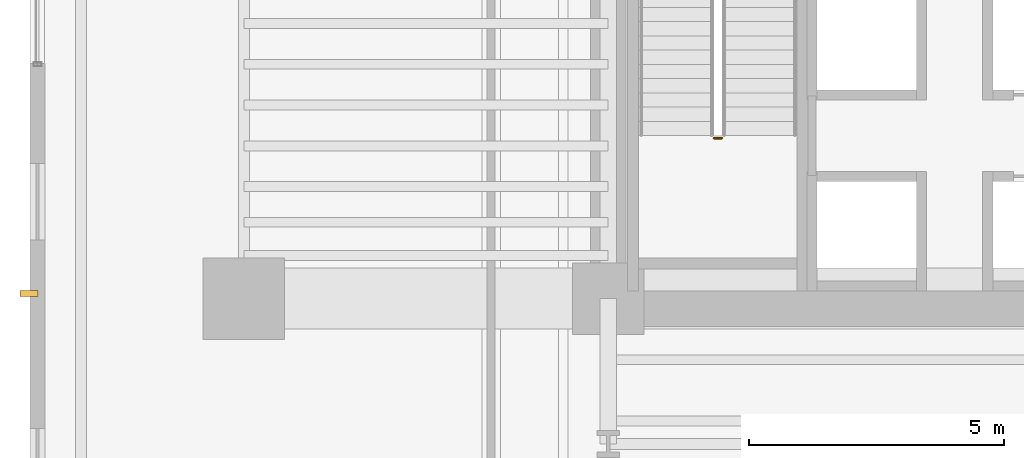
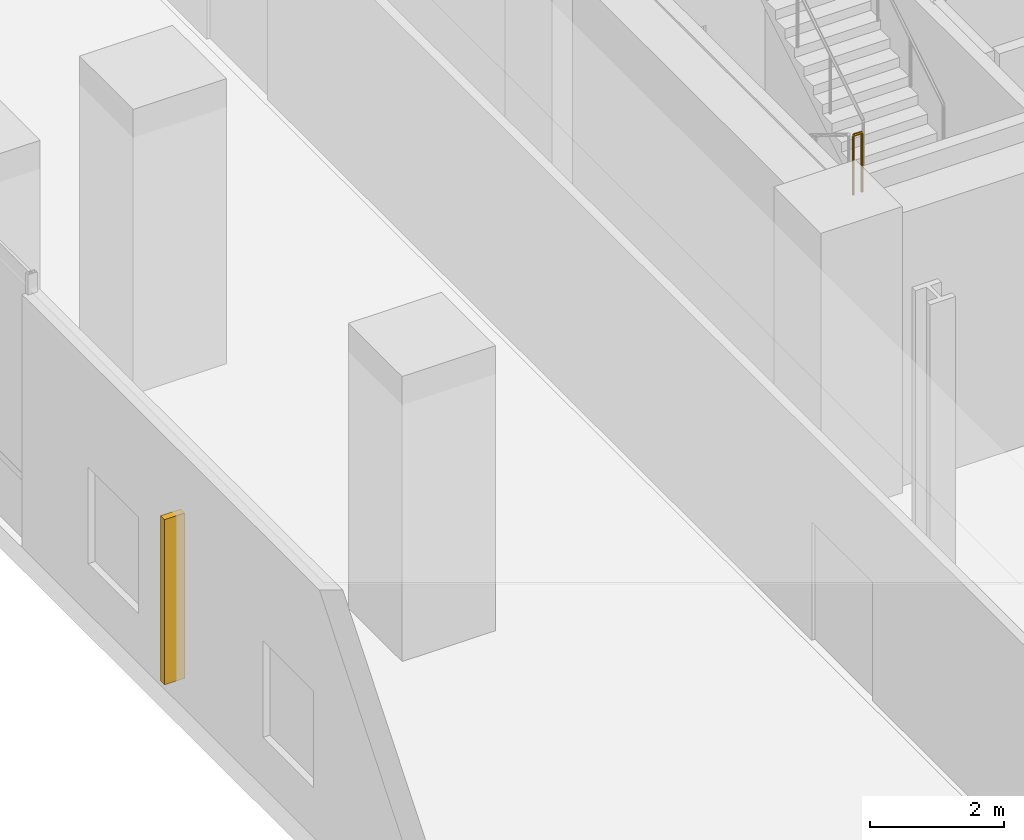
# One storey, part 31 of 41: 1 railing, 1 shading device.
"""IFC4 building model written with IfcOpenShell, lengths in metres."""

from ifc_helpers import new_model, si_unit, direction, frame, origin, origin_2d, place, context, subcontext, project, spatial, rectangle, circle, extrude, source, transform, mapped, material, type_object, element, save


model = new_model("IFC4")

# Units and contexts
model_context = context("Model", 3, precision=1e-05, world=origin(), true_north=direction((0.0, 1.0)))
body_context = subcontext(model_context, "Body", "Model", "MODEL_VIEW")
ifc_project = project(units=[si_unit("LENGTHUNIT", "METRE"), si_unit("AREAUNIT", "SQUARE_METRE"), si_unit("VOLUMEUNIT", "CUBIC_METRE"), si_unit("PLANEANGLEUNIT", "RADIAN"), si_unit("MASSUNIT", "GRAM", prefix="KILO")], contexts=[model_context])

# Site, building, storey
site_placement = place(None, origin())
site = spatial("IfcSite", under=ifc_project, at=site_placement, CompositionType="ELEMENT")
building_placement = place(site_placement, origin())
building = spatial("IfcBuilding", under=site, at=building_placement, Name="Valdorenza Pilgrim Sanctuary Tower", CompositionType="ELEMENT")
storey_placement = place(building_placement, frame((0.0, 0.0, 20.800048828125)))
storey = spatial("IfcBuildingStorey", under=building, at=storey_placement, Name="L04", CompositionType="ELEMENT", Elevation=20.800048828125)

# Railing
ifc_material_1 = material(Name="Stainless steel Grade 316", Category="steel")
railing_type = type_object("IfcRailingType", Name="RLG-GRD-1120", PredefinedType="GUARDRAIL", material=ifc_material_1)
railing_placement = place(storey_placement, frame((-20.570068359375, -7.449951171875, 2.599853515625)))
element("IfcRailing", 1, at=railing_placement, inside=storey, type_object=railing_type, Name="L04 ST-A2 stair guard 2", PredefinedType="GUARDRAIL", context=body_context, shape_type="SweptSolid", body=[
    extrude(circle(Radius=0.02392578125, at=origin_2d()), frame((0.0, 0.0, 1.076171875), z_axis=(1.0, 0.0, 0.0), x_axis=(0.0, 1.0, 0.0)), (0.0, 0.0, 1.0), 0.150146484375),
    extrude(circle(Radius=0.02099609375, at=origin_2d()), origin(), (0.0, 0.0, 1.0), 1.052001953125),
    extrude(circle(Radius=0.02099609375, at=origin_2d()), frame((0.150146484375, 0.0, 0.0)), (0.0, 0.0, 1.0), 1.052001953125),
])

# Shading device
ifc_material_2 = material(Name="Champagne anodised aluminium", Category="aluminium")
shading_device_type = type_object("IfcShadingDeviceType", Name="SHD-FIN-TRV", PredefinedType="SHUTTER", material=ifc_material_2)
shared_shape = source(origin(), body_context, "Body", "SweptSolid", [
    extrude(rectangle(XDim=0.35009765625, YDim=0.1201171875, at=origin_2d()), origin(), (0.0, 0.0, 1.0), 3.0),
])
shading_device_placement = place(storey_placement, frame((-34.02001953125, -10.5, 0.349853515625), z_axis=(0.0, 0.0, 1.0), x_axis=(1.0, 0.0, 0.0)))
element("IfcShadingDevice", 2, at=shading_device_placement, inside=storey, type_object=shading_device_type, Name="L04 West Solar Shading Fin 1", PredefinedType="SHUTTER", context=body_context, shape_type="MappedRepresentation", body=[
    mapped(shared_shape, transform((0.0, 0.0, 0.0), x_axis=(1.0, 0.0, 0.0), y_axis=(0.0, 1.0, 0.0), z_axis=(0.0, 0.0, 1.0), scale=1.0)),
])

save(model, "model.ifc")
